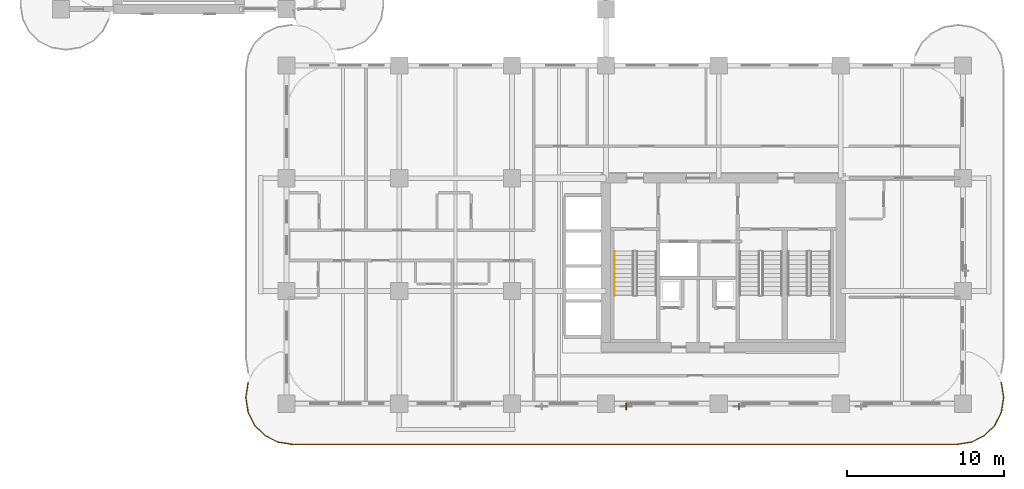
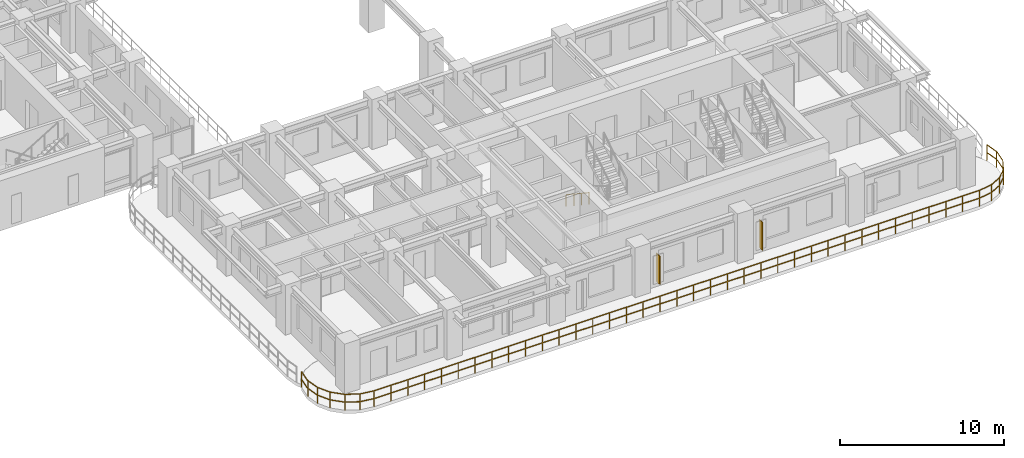
# One storey, part 14 of 19: 2 railings, 2 shading devices.
"""IFC4 building model written with IfcOpenShell, lengths in metres."""

from ifc_helpers import new_model, si_unit, derived_unit, direction, frame, origin, origin_2d, place, context, subcontext, project, spatial, rectangle, extrude, source, transform, mapped, material, layer, layer_set, type_object, type_shapes, element, save


model = new_model("IFC4")

# Units and contexts
model_context = context("Model", 3, precision=1e-05, world=origin(), true_north=direction((0.0, 1.0)))
body_context = subcontext(model_context, "Body", "Model", "MODEL_VIEW")
ifc_project = project(units=[si_unit("LENGTHUNIT", "METRE"), si_unit("AREAUNIT", "SQUARE_METRE"), si_unit("VOLUMEUNIT", "CUBIC_METRE"), si_unit("PLANEANGLEUNIT", "RADIAN"), si_unit("MASSUNIT", "GRAM", prefix="KILO"), si_unit("THERMODYNAMICTEMPERATUREUNIT", "KELVIN"), si_unit("POWERUNIT", "WATT"), derived_unit("THERMALTRANSMITTANCEUNIT", [(si_unit("POWERUNIT", "WATT"), 1), (si_unit("AREAUNIT", "SQUARE_METRE"), -1), (si_unit("THERMODYNAMICTEMPERATUREUNIT", "KELVIN"), -1)])], contexts=[model_context])

# Site, building, storey
site_placement = place(None, origin())
site = spatial("IfcSite", under=ifc_project, at=site_placement, CompositionType="ELEMENT")
building_placement = place(site_placement, origin())
building = spatial("IfcBuilding", under=site, at=building_placement, Name="Zahravan Archway Hotel and Residences", CompositionType="ELEMENT")
storey_placement = place(building_placement, frame((0.0, 0.0, 32.39990234375)))
storey = spatial("IfcBuildingStorey", under=building, at=storey_placement, Name="L06", CompositionType="ELEMENT", Elevation=32.39990234375)

# Railings
ifc_material_1 = material(Name="Bronze & Laminated Glass Balustrade", Category="glass")
railing_type_1 = type_object("IfcRailingType", Name="RL-BAL-1200", PredefinedType="BALUSTRADE", material=ifc_material_1)
railing_1_placement = place(storey_placement, frame((60.0556640625, 1.361572265625, 0.0)))
element("IfcRailing", 1, at=railing_1_placement, inside=storey, type_object=railing_type_1, Name="L06 Balustrade RL-SLB-BAL-L06-SA-1", PredefinedType="BALUSTRADE", context=body_context, shape_type="SweptSolid", body=[
    extrude(rectangle(XDim=0.048095703125, YDim=0.048095703125, at=origin_2d()), frame((0.0, 0.0, 1.17578125), z_axis=(0.156329311416, -0.987704989555, 0.0), x_axis=(0.987704989555, 0.156329311416, 0.0)), (0.0, 0.0, 1.0), 0.9228515625),
    extrude(rectangle(XDim=0.048095703125, YDim=0.048095703125, at=origin_2d()), frame((0.0, 0.0, 0.60009765625), z_axis=(0.156329311416, -0.987704989555, 0.0), x_axis=(0.987704989555, 0.156329311416, 0.0)), (0.0, 0.0, 1.0), 0.9228515625),
    extrude(rectangle(XDim=0.048095703125, YDim=0.048095703125, at=origin_2d()), frame((0.144287109375, -0.91162109375, 1.17578125), z_axis=(0.0, -1.0, 0.0), x_axis=(1.0, 0.0, 0.0)), (0.0, 0.0, 1.0), 0.099853515625),
    extrude(rectangle(XDim=0.048095703125, YDim=0.048095703125, at=origin_2d()), frame((0.144287109375, -0.91162109375, 0.60009765625), z_axis=(0.0, -1.0, 0.0), x_axis=(1.0, 0.0, 0.0)), (0.0, 0.0, 1.0), 0.099853515625),
    extrude(rectangle(XDim=0.048095703125, YDim=0.048095703125, at=origin_2d()), frame((0.144287109375, -1.011474609375, 1.17578125), z_axis=(-0.156329311416, -0.987704989555, 0.0), x_axis=(0.987704989555, -0.156329311416, 0.0)), (0.0, 0.0, 1.0), 0.9228515625),
    extrude(rectangle(XDim=0.048095703125, YDim=0.048095703125, at=origin_2d()), frame((0.144287109375, -1.011474609375, 0.60009765625), z_axis=(-0.156329311416, -0.987704989555, 0.0), x_axis=(0.987704989555, -0.156329311416, 0.0)), (0.0, 0.0, 1.0), 0.9228515625),
    extrude(rectangle(XDim=0.048095703125, YDim=0.048095703125, at=origin_2d()), frame((0.0, -1.923095703125, 1.17578125), z_axis=(-0.453866348456, -0.891069771532, 0.0), x_axis=(0.891069771532, -0.453866348456, 0.0)), (0.0, 0.0, 1.0), 0.923095703125),
    extrude(rectangle(XDim=0.048095703125, YDim=0.048095703125, at=origin_2d()), frame((0.0, -1.923095703125, 0.60009765625), z_axis=(-0.453866348456, -0.891069771532, 0.0), x_axis=(0.891069771532, -0.453866348456, 0.0)), (0.0, 0.0, 1.0), 0.923095703125),
    extrude(rectangle(XDim=0.048095703125, YDim=0.048095703125, at=origin_2d()), frame((-0.4189453125, -2.74560546875, 1.17578125), z_axis=(-0.707239012465, -0.706974525176, 0.0), x_axis=(0.706974525176, -0.707239012465, 0.0)), (0.0, 0.0, 1.0), 0.923095703125),
    extrude(rectangle(XDim=0.048095703125, YDim=0.048095703125, at=origin_2d()), frame((-0.4189453125, -2.74560546875, 0.60009765625), z_axis=(-0.707239012465, -0.706974525176, 0.0), x_axis=(0.706974525176, -0.707239012465, 0.0)), (0.0, 0.0, 1.0), 0.923095703125),
    extrude(rectangle(XDim=0.048095703125, YDim=0.048095703125, at=origin_2d()), frame((-1.07177734375, -3.398193359375, 1.17578125), z_axis=(-0.891015268556, -0.453973337542, 0.0), x_axis=(0.453973337542, -0.891015268556, 0.0)), (0.0, 0.0, 1.0), 0.9228515625),
    extrude(rectangle(XDim=0.048095703125, YDim=0.048095703125, at=origin_2d()), frame((-1.07177734375, -3.398193359375, 0.60009765625), z_axis=(-0.891015268556, -0.453973337542, 0.0), x_axis=(0.453973337542, -0.891015268556, 0.0)), (0.0, 0.0, 1.0), 0.9228515625),
    extrude(rectangle(XDim=0.048095703125, YDim=0.048095703125, at=origin_2d()), frame((-1.89404296875, -3.817138671875, 1.17578125), z_axis=(-0.98766411426, -0.156587347521, 0.0), x_axis=(0.156587347521, -0.98766411426, 0.0)), (0.0, 0.0, 1.0), 0.923095703125),
    extrude(rectangle(XDim=0.048095703125, YDim=0.048095703125, at=origin_2d()), frame((-1.89404296875, -3.817138671875, 0.60009765625), z_axis=(-0.98766411426, -0.156587347521, 0.0), x_axis=(0.156587347521, -0.98766411426, 0.0)), (0.0, 0.0, 1.0), 0.923095703125),
    extrude(rectangle(XDim=0.048095703125, YDim=0.048095703125, at=origin_2d()), frame((-2.8056640625, -3.961669921875, 1.17578125), z_axis=(-1.0, 0.0, 0.0), x_axis=(0.0, -1.0, 0.0)), (0.0, 0.0, 1.0), 42.5),
    extrude(rectangle(XDim=0.048095703125, YDim=0.048095703125, at=origin_2d()), frame((-2.8056640625, -3.961669921875, 0.60009765625), z_axis=(-1.0, 0.0, 0.0), x_axis=(0.0, -1.0, 0.0)), (0.0, 0.0, 1.0), 42.5),
    extrude(rectangle(XDim=0.048095703125, YDim=0.048095703125, at=origin_2d()), frame((-45.3056640625, -3.961669921875, 1.17578125), z_axis=(-0.98766411426, 0.156587347521, 0.0), x_axis=(-0.156587347521, -0.98766411426, 0.0)), (0.0, 0.0, 1.0), 0.923095703125),
    extrude(rectangle(XDim=0.048095703125, YDim=0.048095703125, at=origin_2d()), frame((-45.3056640625, -3.961669921875, 0.60009765625), z_axis=(-0.98766411426, 0.156587347521, 0.0), x_axis=(-0.156587347521, -0.98766411426, 0.0)), (0.0, 0.0, 1.0), 0.923095703125),
    extrude(rectangle(XDim=0.048095703125, YDim=0.048095703125, at=origin_2d()), frame((-46.21728515625, -3.817138671875, 1.17578125), z_axis=(-0.891015268556, 0.453973337542, 0.0), x_axis=(-0.453973337542, -0.891015268556, 0.0)), (0.0, 0.0, 1.0), 0.9228515625),
    extrude(rectangle(XDim=0.048095703125, YDim=0.048095703125, at=origin_2d()), frame((-46.21728515625, -3.817138671875, 0.60009765625), z_axis=(-0.891015268556, 0.453973337542, 0.0), x_axis=(-0.453973337542, -0.891015268556, 0.0)), (0.0, 0.0, 1.0), 0.9228515625),
    extrude(rectangle(XDim=0.048095703125, YDim=0.048095703125, at=origin_2d()), frame((-47.03955078125, -3.398193359375, 1.17578125), z_axis=(-0.707239012465, 0.706974525176, 0.0), x_axis=(-0.706974525176, -0.707239012465, 0.0)), (0.0, 0.0, 1.0), 0.923095703125),
    extrude(rectangle(XDim=0.048095703125, YDim=0.048095703125, at=origin_2d()), frame((-47.03955078125, -3.398193359375, 0.60009765625), z_axis=(-0.707239012465, 0.706974525176, 0.0), x_axis=(-0.706974525176, -0.707239012465, 0.0)), (0.0, 0.0, 1.0), 0.923095703125),
    extrude(rectangle(XDim=0.048095703125, YDim=0.048095703125, at=origin_2d()), frame((-47.6923828125, -2.74560546875, 1.17578125), z_axis=(-0.453866348456, 0.891069771532, 0.0), x_axis=(-0.891069771532, -0.453866348456, 0.0)), (0.0, 0.0, 1.0), 0.923095703125),
    extrude(rectangle(XDim=0.048095703125, YDim=0.048095703125, at=origin_2d()), frame((-47.6923828125, -2.74560546875, 0.60009765625), z_axis=(-0.453866348456, 0.891069771532, 0.0), x_axis=(-0.891069771532, -0.453866348456, 0.0)), (0.0, 0.0, 1.0), 0.923095703125),
    extrude(rectangle(XDim=0.048095703125, YDim=0.048095703125, at=origin_2d()), frame((-48.111328125, -1.923095703125, 1.17578125), z_axis=(-0.156329311416, 0.987704989555, 0.0), x_axis=(-0.987704989555, -0.156329311416, 0.0)), (0.0, 0.0, 1.0), 0.9228515625),
    extrude(rectangle(XDim=0.048095703125, YDim=0.048095703125, at=origin_2d()), frame((-48.111328125, -1.923095703125, 0.60009765625), z_axis=(-0.156329311416, 0.987704989555, 0.0), x_axis=(-0.987704989555, -0.156329311416, 0.0)), (0.0, 0.0, 1.0), 0.9228515625),
    extrude(rectangle(XDim=0.048095703125, YDim=0.048095703125, at=origin_2d()), frame((-48.255615234375, -1.011474609375, 1.17578125), z_axis=(0.0, 1.0, 0.0), x_axis=(-1.0, 0.0, 0.0)), (0.0, 0.0, 1.0), 0.099853515625),
    extrude(rectangle(XDim=0.048095703125, YDim=0.048095703125, at=origin_2d()), frame((-48.255615234375, -1.011474609375, 0.60009765625), z_axis=(0.0, 1.0, 0.0), x_axis=(-1.0, 0.0, 0.0)), (0.0, 0.0, 1.0), 0.099853515625),
    extrude(rectangle(XDim=0.048095703125, YDim=0.048095703125, at=origin_2d()), frame((-48.255615234375, -0.91162109375, 1.17578125), z_axis=(0.156329311416, 0.987704989555, 0.0), x_axis=(-0.987704989555, 0.156329311416, 0.0)), (0.0, 0.0, 1.0), 0.9228515625),
    extrude(rectangle(XDim=0.048095703125, YDim=0.048095703125, at=origin_2d()), frame((-48.255615234375, -0.91162109375, 0.60009765625), z_axis=(0.156329311416, 0.987704989555, 0.0), x_axis=(-0.987704989555, 0.156329311416, 0.0)), (0.0, 0.0, 1.0), 0.9228515625),
    extrude(rectangle(XDim=0.0419921875, YDim=0.0419921875, at=origin_2d()), origin(), (0.0, 0.0, 1.0), 1.15185546875),
    extrude(rectangle(XDim=0.0419921875, YDim=0.0419921875, at=origin_2d()), frame((0.144287109375, -0.91162109375, 0.0)), (0.0, 0.0, 1.0), 1.15185546875),
    extrude(rectangle(XDim=0.0419921875, YDim=0.0419921875, at=origin_2d()), frame((0.0, -1.923095703125, 0.0)), (0.0, 0.0, 1.0), 1.15185546875),
    extrude(rectangle(XDim=0.0419921875, YDim=0.0419921875, at=origin_2d()), frame((-0.4189453125, -2.74560546875, 0.0)), (0.0, 0.0, 1.0), 1.15185546875),
    extrude(rectangle(XDim=0.0419921875, YDim=0.0419921875, at=origin_2d()), frame((-1.07177734375, -3.398193359375, 0.0)), (0.0, 0.0, 1.0), 1.15185546875),
    extrude(rectangle(XDim=0.0419921875, YDim=0.0419921875, at=origin_2d()), frame((-1.89404296875, -3.817138671875, 0.0)), (0.0, 0.0, 1.0), 1.15185546875),
    extrude(rectangle(XDim=0.0419921875, YDim=0.0419921875, at=origin_2d()), frame((-2.8056640625, -3.961669921875, 0.0)), (0.0, 0.0, 1.0), 1.15185546875),
    extrude(rectangle(XDim=0.0419921875, YDim=0.0419921875, at=origin_2d()), frame((-3.986328125, -3.961669921875, 0.0)), (0.0, 0.0, 1.0), 1.15185546875),
    extrude(rectangle(XDim=0.0419921875, YDim=0.0419921875, at=origin_2d()), frame((-5.166748046875, -3.961669921875, 0.0)), (0.0, 0.0, 1.0), 1.15185546875),
    extrude(rectangle(XDim=0.0419921875, YDim=0.0419921875, at=origin_2d()), frame((-6.347412109375, -3.961669921875, 0.0)), (0.0, 0.0, 1.0), 1.15185546875),
    extrude(rectangle(XDim=0.0419921875, YDim=0.0419921875, at=origin_2d()), frame((-7.52783203125, -3.961669921875, 0.0)), (0.0, 0.0, 1.0), 1.15185546875),
    extrude(rectangle(XDim=0.0419921875, YDim=0.0419921875, at=origin_2d()), frame((-8.70849609375, -3.961669921875, 0.0)), (0.0, 0.0, 1.0), 1.15185546875),
    extrude(rectangle(XDim=0.0419921875, YDim=0.0419921875, at=origin_2d()), frame((-9.888916015625, -3.961669921875, 0.0)), (0.0, 0.0, 1.0), 1.15185546875),
    extrude(rectangle(XDim=0.0419921875, YDim=0.0419921875, at=origin_2d()), frame((-11.069580078125, -3.961669921875, 0.0)), (0.0, 0.0, 1.0), 1.15185546875),
    extrude(rectangle(XDim=0.0419921875, YDim=0.0419921875, at=origin_2d()), frame((-12.25, -3.961669921875, 0.0)), (0.0, 0.0, 1.0), 1.15185546875),
    extrude(rectangle(XDim=0.0419921875, YDim=0.0419921875, at=origin_2d()), frame((-13.4306640625, -3.961669921875, 0.0)), (0.0, 0.0, 1.0), 1.15185546875),
    extrude(rectangle(XDim=0.0419921875, YDim=0.0419921875, at=origin_2d()), frame((-14.611328125, -3.961669921875, 0.0)), (0.0, 0.0, 1.0), 1.15185546875),
    extrude(rectangle(XDim=0.0419921875, YDim=0.0419921875, at=origin_2d()), frame((-15.791748046875, -3.961669921875, 0.0)), (0.0, 0.0, 1.0), 1.15185546875),
    extrude(rectangle(XDim=0.0419921875, YDim=0.0419921875, at=origin_2d()), frame((-16.972412109375, -3.961669921875, 0.0)), (0.0, 0.0, 1.0), 1.15185546875),
    extrude(rectangle(XDim=0.0419921875, YDim=0.0419921875, at=origin_2d()), frame((-18.15283203125, -3.961669921875, 0.0)), (0.0, 0.0, 1.0), 1.15185546875),
    extrude(rectangle(XDim=0.0419921875, YDim=0.0419921875, at=origin_2d()), frame((-19.33349609375, -3.961669921875, 0.0)), (0.0, 0.0, 1.0), 1.15185546875),
    extrude(rectangle(XDim=0.0419921875, YDim=0.0419921875, at=origin_2d()), frame((-20.513916015625, -3.961669921875, 0.0)), (0.0, 0.0, 1.0), 1.15185546875),
    extrude(rectangle(XDim=0.0419921875, YDim=0.0419921875, at=origin_2d()), frame((-21.694580078125, -3.961669921875, 0.0)), (0.0, 0.0, 1.0), 1.15185546875),
    extrude(rectangle(XDim=0.0419921875, YDim=0.0419921875, at=origin_2d()), frame((-22.875, -3.961669921875, 0.0)), (0.0, 0.0, 1.0), 1.15185546875),
    extrude(rectangle(XDim=0.0419921875, YDim=0.0419921875, at=origin_2d()), frame((-24.0556640625, -3.961669921875, 0.0)), (0.0, 0.0, 1.0), 1.15185546875),
    extrude(rectangle(XDim=0.0419921875, YDim=0.0419921875, at=origin_2d()), frame((-25.236328125, -3.961669921875, 0.0)), (0.0, 0.0, 1.0), 1.15185546875),
    extrude(rectangle(XDim=0.0419921875, YDim=0.0419921875, at=origin_2d()), frame((-26.416748046875, -3.961669921875, 0.0)), (0.0, 0.0, 1.0), 1.15185546875),
    extrude(rectangle(XDim=0.0419921875, YDim=0.0419921875, at=origin_2d()), frame((-27.597412109375, -3.961669921875, 0.0)), (0.0, 0.0, 1.0), 1.15185546875),
    extrude(rectangle(XDim=0.0419921875, YDim=0.0419921875, at=origin_2d()), frame((-28.77783203125, -3.961669921875, 0.0)), (0.0, 0.0, 1.0), 1.15185546875),
    extrude(rectangle(XDim=0.0419921875, YDim=0.0419921875, at=origin_2d()), frame((-29.95849609375, -3.961669921875, 0.0)), (0.0, 0.0, 1.0), 1.15185546875),
    extrude(rectangle(XDim=0.0419921875, YDim=0.0419921875, at=origin_2d()), frame((-31.138916015625, -3.961669921875, 0.0)), (0.0, 0.0, 1.0), 1.15185546875),
    extrude(rectangle(XDim=0.0419921875, YDim=0.0419921875, at=origin_2d()), frame((-32.319580078125, -3.961669921875, 0.0)), (0.0, 0.0, 1.0), 1.15185546875),
    extrude(rectangle(XDim=0.0419921875, YDim=0.0419921875, at=origin_2d()), frame((-33.5, -3.961669921875, 0.0)), (0.0, 0.0, 1.0), 1.15185546875),
    extrude(rectangle(XDim=0.0419921875, YDim=0.0419921875, at=origin_2d()), frame((-34.6806640625, -3.961669921875, 0.0)), (0.0, 0.0, 1.0), 1.15185546875),
    extrude(rectangle(XDim=0.0419921875, YDim=0.0419921875, at=origin_2d()), frame((-35.861328125, -3.961669921875, 0.0)), (0.0, 0.0, 1.0), 1.15185546875),
    extrude(rectangle(XDim=0.0419921875, YDim=0.0419921875, at=origin_2d()), frame((-37.041748046875, -3.961669921875, 0.0)), (0.0, 0.0, 1.0), 1.15185546875),
    extrude(rectangle(XDim=0.0419921875, YDim=0.0419921875, at=origin_2d()), frame((-38.222412109375, -3.961669921875, 0.0)), (0.0, 0.0, 1.0), 1.15185546875),
    extrude(rectangle(XDim=0.0419921875, YDim=0.0419921875, at=origin_2d()), frame((-39.40283203125, -3.961669921875, 0.0)), (0.0, 0.0, 1.0), 1.15185546875),
    extrude(rectangle(XDim=0.0419921875, YDim=0.0419921875, at=origin_2d()), frame((-40.58349609375, -3.961669921875, 0.0)), (0.0, 0.0, 1.0), 1.15185546875),
    extrude(rectangle(XDim=0.0419921875, YDim=0.0419921875, at=origin_2d()), frame((-41.763916015625, -3.961669921875, 0.0)), (0.0, 0.0, 1.0), 1.15185546875),
    extrude(rectangle(XDim=0.0419921875, YDim=0.0419921875, at=origin_2d()), frame((-42.944580078125, -3.961669921875, 0.0)), (0.0, 0.0, 1.0), 1.15185546875),
    extrude(rectangle(XDim=0.0419921875, YDim=0.0419921875, at=origin_2d()), frame((-44.125, -3.961669921875, 0.0)), (0.0, 0.0, 1.0), 1.15185546875),
    extrude(rectangle(XDim=0.0419921875, YDim=0.0419921875, at=origin_2d()), frame((-45.3056640625, -3.961669921875, 0.0)), (0.0, 0.0, 1.0), 1.15185546875),
    extrude(rectangle(XDim=0.0419921875, YDim=0.0419921875, at=origin_2d()), frame((-46.21728515625, -3.817138671875, 0.0)), (0.0, 0.0, 1.0), 1.15185546875),
    extrude(rectangle(XDim=0.0419921875, YDim=0.0419921875, at=origin_2d()), frame((-47.03955078125, -3.398193359375, 0.0)), (0.0, 0.0, 1.0), 1.15185546875),
    extrude(rectangle(XDim=0.0419921875, YDim=0.0419921875, at=origin_2d()), frame((-47.6923828125, -2.74560546875, 0.0)), (0.0, 0.0, 1.0), 1.15185546875),
    extrude(rectangle(XDim=0.0419921875, YDim=0.0419921875, at=origin_2d()), frame((-48.111328125, -1.923095703125, 0.0)), (0.0, 0.0, 1.0), 1.15185546875),
    extrude(rectangle(XDim=0.0419921875, YDim=0.0419921875, at=origin_2d()), frame((-48.255615234375, -1.011474609375, 0.0)), (0.0, 0.0, 1.0), 1.15185546875),
    extrude(rectangle(XDim=0.0419921875, YDim=0.0419921875, at=origin_2d()), frame((-48.111328125, 0.0, 0.0)), (0.0, 0.0, 1.0), 1.15185546875),
])
ifc_material_2 = material(Name="Brushed Stainless Steel", Category="steel")
railing_type_2 = type_object("IfcRailingType", Name="RL-STH-900", PredefinedType="HANDRAIL", material=ifc_material_2)
railing_2_placement = place(storey_placement, frame((35.35009765625, 9.72998046875, 0.168212890625)))
element("IfcRailing", 2, at=railing_2_placement, inside=storey, type_object=railing_type_2, Name="L06 ST-A1 stair handrail 1", PredefinedType="HANDRAIL", context=body_context, shape_type="SweptSolid", body=[
    extrude(rectangle(XDim=0.048095703125, YDim=0.048095703125, at=origin_2d()), frame((0.0, 0.0, 0.8759765625), z_axis=(0.0, -0.834326358476, 0.551270829586), x_axis=(1.0, 0.0, 0.0)), (0.0, 0.0, 1.0), 3.35595703125),
    extrude(rectangle(XDim=0.0419921875, YDim=0.0419921875, at=origin_2d()), origin(), (0.0, 0.0, 1.0), 0.851806640625),
    extrude(rectangle(XDim=0.0419921875, YDim=0.0419921875, at=origin_2d()), frame((0.0, -0.933349609375, 0.61669921875)), (0.0, 0.0, 1.0), 0.851806640625),
    extrude(rectangle(XDim=0.0419921875, YDim=0.0419921875, at=origin_2d()), frame((0.0, -1.86669921875, 1.2333984375)), (0.0, 0.0, 1.0), 0.851806640625),
    extrude(rectangle(XDim=0.0419921875, YDim=0.0419921875, at=origin_2d()), frame((0.0, -2.800048828125, 1.85009765625)), (0.0, 0.0, 1.0), 0.851806640625),
])

# Shading devices
ifc_material_3 = material(Name="Terracotta & Bronze Solar Brise-Soleil", Category="masonry")
ifc_layer = layer(ifc_material_3, 0.06005859375, Name="Terracotta & Bronze Solar Brise-Soleil", Category="masonry")
ifc_layer_set = layer_set([ifc_layer], Name="Terracotta & Bronze Solar Brise-Soleil")
shading_device_type = type_object("IfcShadingDeviceType", Name="SHD-MASH-FIN", PredefinedType="JALOUSIE", material=ifc_layer_set)
shared_shape = source(origin(), body_context, "Body", "SweptSolid", [
    extrude(rectangle(XDim=0.06005859375, YDim=0.419921875, at=origin_2d()), origin(), (0.0, 0.0, 1.0), 2.10009765625),
])
type_shapes(shading_device_type, [shared_shape])
for number, where, z_axis, x_axis, name in (
    (3, (36.10009765625, -0.177978515625, 0.25), (0.0, 0.0, 1.0), (1.0, 0.0, 0.0), "L06 Solar Mashrabiya Fin 03"),
    (4, (43.300048828125, -0.177978515625, 0.25), (0.0, 0.0, 1.0), (1.0, 0.0, 0.0), "L06 Solar Mashrabiya Fin 04"),
):
    element("IfcShadingDevice", number, at=place(storey_placement, frame(where, z_axis=z_axis, x_axis=x_axis)), inside=storey, type_object=shading_device_type, Name=name, PredefinedType="JALOUSIE", context=body_context, shape_type="MappedRepresentation", body=[
        mapped(shared_shape, transform((0.0, 0.0, 0.0), scale=1.0)),
    ])

save(model, "model.ifc")
